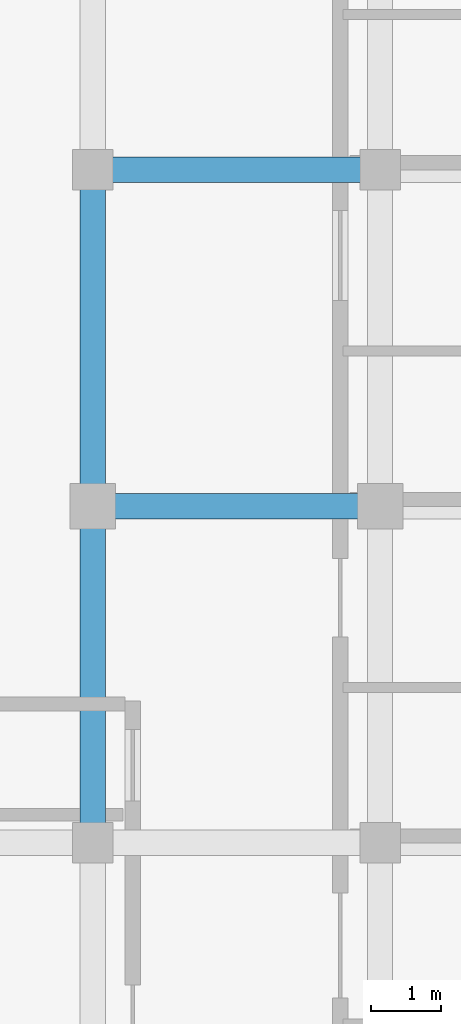
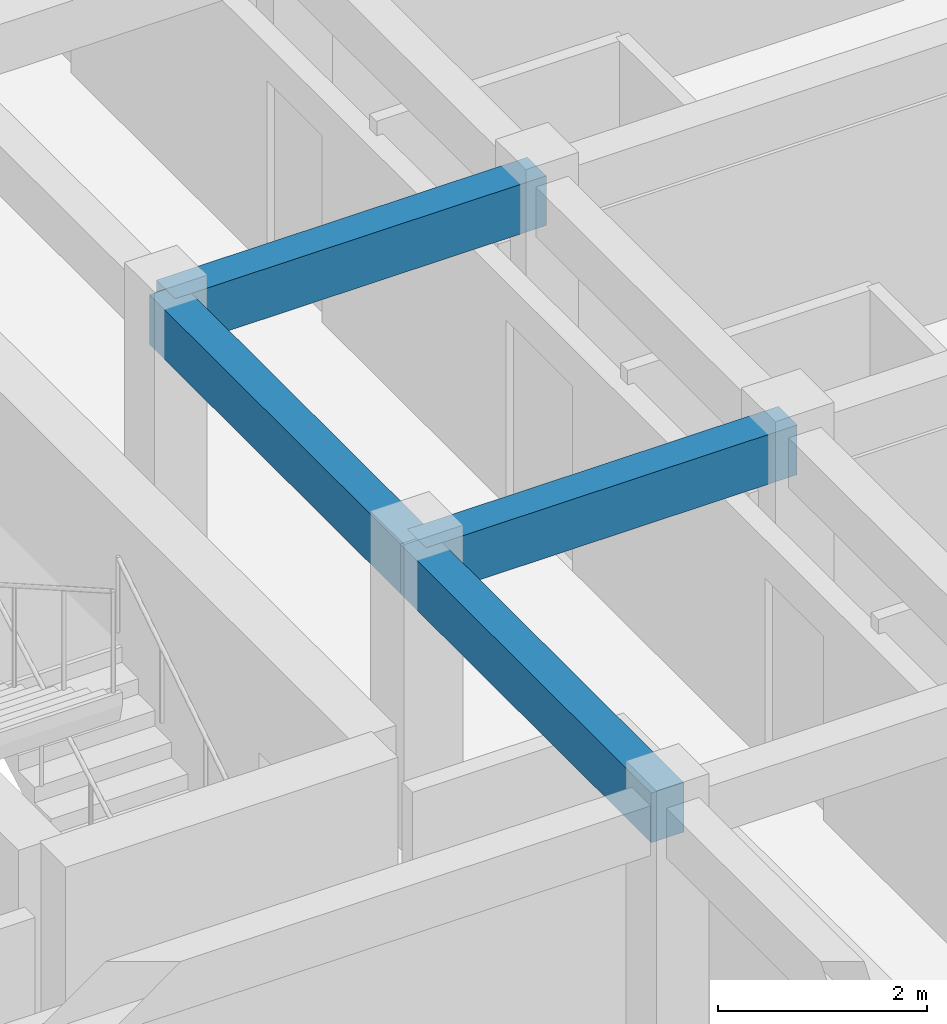
# One storey, part 27 of 49: 4 beams.
"""IFC4 building model written with IfcOpenShell, lengths in metres."""

from ifc_helpers import new_model, si_unit, direction, frame, origin, origin_2d, place, context, subcontext, project, spatial, rectangle, extrude, material, material_profile, profile_set, type_object, element, save


model = new_model("IFC4")

# Units and contexts
model_context = context("Model", 3, precision=1e-05, world=origin(), true_north=direction((0.0, 1.0)))
body_context = subcontext(model_context, "Body", "Model", "MODEL_VIEW")
ifc_project = project(units=[si_unit("LENGTHUNIT", "METRE"), si_unit("AREAUNIT", "SQUARE_METRE"), si_unit("VOLUMEUNIT", "CUBIC_METRE"), si_unit("PLANEANGLEUNIT", "RADIAN"), si_unit("MASSUNIT", "GRAM", prefix="KILO")], contexts=[model_context])

# Site, building, storey
site_placement = place(None, origin())
site = spatial("IfcSite", under=ifc_project, at=site_placement, CompositionType="ELEMENT")
building_placement = place(site_placement, origin())
building = spatial("IfcBuilding", under=site, at=building_placement, Name="Nakhvara Creek Congress Hotel", CompositionType="ELEMENT")
storey_placement = place(building_placement, frame((0.0, 0.0, 39.0)))
storey = spatial("IfcBuildingStorey", under=building, at=storey_placement, Name="L09", CompositionType="ELEMENT", Elevation=39.0)

# Beams
ifc_material = material(Name="Concrete C40/50", Category="concrete")
ifc_material_profile = material_profile(ifc_material, rectangle(XDim=0.360107421875, YDim=0.580078125, at=origin_2d()), Name="RC-BM 360x580", Category="LoadBearing")
ifc_profile_set = profile_set([ifc_material_profile], Name="Concrete C40/50")
beam_type = type_object("IfcBeamType", Name="BM-RC-360X580", PredefinedType="BEAM", material=ifc_profile_set)
beam_1_placement = place(storey_placement, frame((162.35009765625, 105.60009765625, 3.070068359375), z_axis=(1.0, 0.0, 0.0), x_axis=(0.0, 1.0, 0.0)))
element("IfcBeam", 1, at=beam_1_placement, inside=storey, type_object=beam_type, Name="Beam B09-L09-2567", PredefinedType="BEAM", context=body_context, shape_type="SweptSolid", body=[
    extrude(rectangle(XDim=0.360107421875, YDim=0.580078125, at=origin_2d()), origin(), (0.0, 0.0, 1.0), 4.099853515625),
])
beam_2_placement = place(storey_placement, frame((162.35009765625, 100.800048828125, 3.070068359375), z_axis=(0.0, 1.0, 0.0), x_axis=(-1.0, 0.0, 0.0)))
element("IfcBeam", 2, at=beam_2_placement, inside=storey, type_object=beam_type, Name="Beam B09-L09-2568", PredefinedType="BEAM", context=body_context, shape_type="SweptSolid", body=[
    extrude(rectangle(XDim=0.360107421875, YDim=0.580078125, at=origin_2d()), origin(), (0.0, 0.0, 1.0), 4.800048828125),
])
beam_3_placement = place(storey_placement, frame((162.35009765625, 105.60009765625, 3.070068359375), z_axis=(0.0, 1.0, 0.0), x_axis=(-1.0, 0.0, 0.0)))
element("IfcBeam", 3, at=beam_3_placement, inside=storey, type_object=beam_type, Name="Beam B09-L09-2569", PredefinedType="BEAM", context=body_context, shape_type="SweptSolid", body=[
    extrude(rectangle(XDim=0.360107421875, YDim=0.580078125, at=origin_2d()), origin(), (0.0, 0.0, 1.0), 4.7998046875),
])
beam_4_placement = place(storey_placement, frame((162.35009765625, 110.39990234375, 3.070068359375), z_axis=(1.0, 0.0, 0.0), x_axis=(0.0, 1.0, 0.0)))
element("IfcBeam", 4, at=beam_4_placement, inside=storey, type_object=beam_type, Name="Beam B09-L09-2621", PredefinedType="BEAM", context=body_context, shape_type="SweptSolid", body=[
    extrude(rectangle(XDim=0.360107421875, YDim=0.580078125, at=origin_2d()), origin(), (0.0, 0.0, 1.0), 4.099853515625),
])

save(model, "model.ifc")
